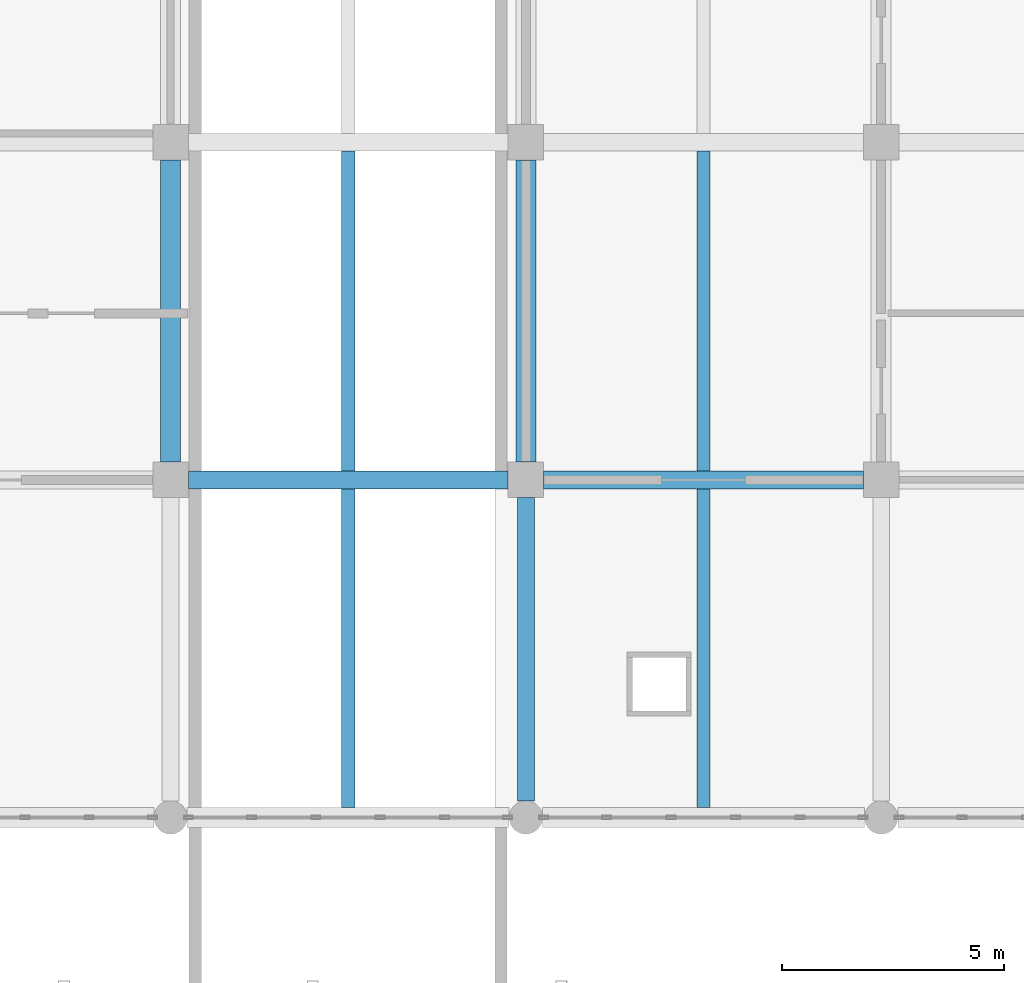
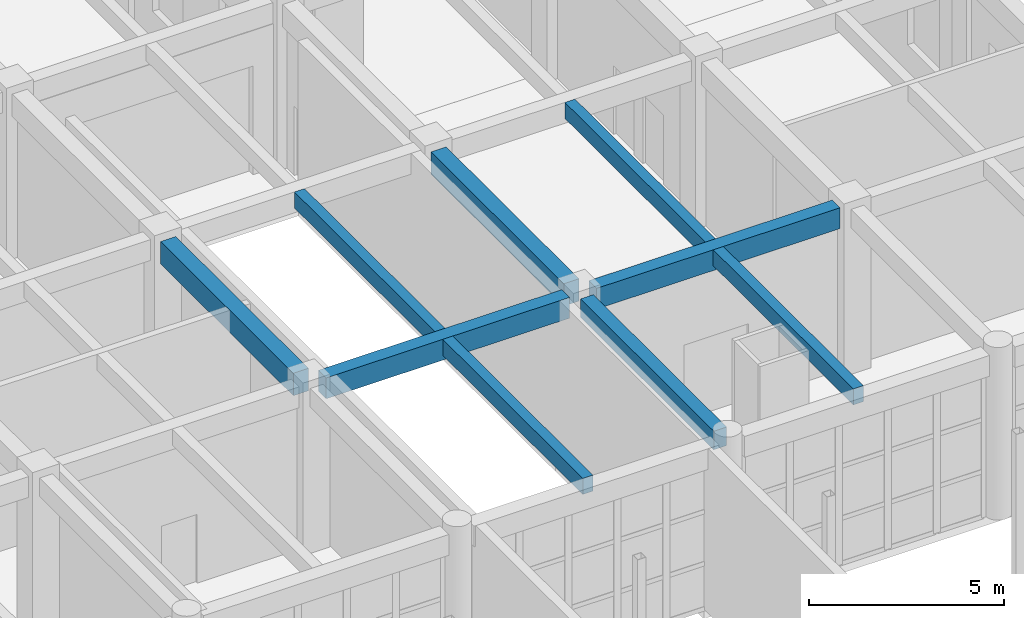
# One storey, part 55 of 95: 9 beams.
"""IFC4 building model written with IfcOpenShell, lengths in metres."""

from ifc_helpers import new_model, si_unit, direction, frame, origin, origin_2d, place, context, subcontext, project, spatial, rectangle, extrude, material, material_profile, profile_set, type_object, element, save


model = new_model("IFC4")

# Units and contexts
model_context = context("Model", 3, precision=1e-05, world=origin(), true_north=direction((0.0, 1.0)))
body_context = subcontext(model_context, "Body", "Model", "MODEL_VIEW")
ifc_project = project(units=[si_unit("LENGTHUNIT", "METRE"), si_unit("AREAUNIT", "SQUARE_METRE"), si_unit("VOLUMEUNIT", "CUBIC_METRE"), si_unit("PLANEANGLEUNIT", "RADIAN"), si_unit("MASSUNIT", "GRAM", prefix="KILO")], contexts=[model_context])

# Site, building, storey
site_placement = place(None, origin())
site = spatial("IfcSite", under=ifc_project, at=site_placement, CompositionType="ELEMENT")
building_placement = place(site_placement, origin())
building = spatial("IfcBuilding", under=site, at=building_placement, Name="Zantavel Square City Hall", CompositionType="ELEMENT")
storey_placement = place(building_placement, origin())
storey = spatial("IfcBuildingStorey", under=building, at=storey_placement, Name="L01", CompositionType="ELEMENT", Elevation=0.0)

# Beams
ifc_material = material(Name="Concrete C35/45", Category="concrete")
ifc_material_profile_1 = material_profile(ifc_material, rectangle(XDim=0.3798828125, YDim=0.580078125, at=origin_2d()), Name="RC 380x580")
ifc_profile_set_1 = profile_set([ifc_material_profile_1], Name="Concrete C35/45")
beam_type_1 = type_object("IfcBeamType", Name="Annex Secondary Beam RC 380x580 C35/45", PredefinedType="BEAM", material=ifc_profile_set_1)
beam_1_placement = place(storey_placement, frame((136.0, 68.77490234375, 4.8701171875), z_axis=(0.0, 1.0, 0.0), x_axis=(-1.0, 0.0, 0.0)))
element("IfcBeam", 1, at=beam_1_placement, inside=storey, type_object=beam_type_1, Name="L01 Beam BMY-L01-1360-0684", PredefinedType="BEAM", context=body_context, shape_type="SweptSolid", body=[
    extrude(rectangle(XDim=0.3798828125, YDim=0.580078125, at=origin_2d()), origin(), (0.0, 0.0, 1.0), 6.8251953125),
])
ifc_material_profile_2 = material_profile(ifc_material, rectangle(XDim=0.300048828125, YDim=0.5, at=origin_2d()), Name="RC 300x500")
ifc_profile_set_2 = profile_set([ifc_material_profile_2], Name="Concrete C35/45")
beam_type_2 = type_object("IfcBeamType", Name="Floor Joist RC 300x500 C35/45", PredefinedType="JOIST", material=ifc_profile_set_2)
beam_2_placement = place(storey_placement, frame((132.0, 68.625, 4.909912109375), z_axis=(0.0, 1.0, 0.0), x_axis=(-1.0, 0.0, 0.0)))
element("IfcBeam", 2, at=beam_2_placement, inside=storey, type_object=beam_type_2, Name="L01 Floor Joist JST-L01-1320-0684", PredefinedType="JOIST", context=body_context, shape_type="SweptSolid", body=[
    extrude(rectangle(XDim=0.300048828125, YDim=0.5, at=origin_2d()), origin(), (0.0, 0.0, 1.0), 7.175048828125),
])
beam_3_placement = place(storey_placement, frame((132.0, 76.199951171875, 4.909912109375), z_axis=(0.0, 1.0, 0.0), x_axis=(-1.0, 0.0, 0.0)))
element("IfcBeam", 3, at=beam_3_placement, inside=storey, type_object=beam_type_2, Name="L01 Floor Joist JST-L01-1320-0760", PredefinedType="JOIST", context=body_context, shape_type="SweptSolid", body=[
    extrude(rectangle(XDim=0.300048828125, YDim=0.5, at=origin_2d()), origin(), (0.0, 0.0, 1.0), 7.199951171875),
])
beam_4_placement = place(storey_placement, frame((140.0, 68.625, 4.909912109375), z_axis=(0.0, 1.0, 0.0), x_axis=(-1.0, 0.0, 0.0)))
element("IfcBeam", 4, at=beam_4_placement, inside=storey, type_object=beam_type_2, Name="L01 Floor Joist JST-L01-1400-0684", PredefinedType="JOIST", context=body_context, shape_type="SweptSolid", body=[
    extrude(rectangle(XDim=0.300048828125, YDim=0.5, at=origin_2d()), origin(), (0.0, 0.0, 1.0), 7.175048828125),
])
beam_5_placement = place(storey_placement, frame((140.0, 76.199951171875, 4.909912109375), z_axis=(0.0, 1.0, 0.0), x_axis=(-1.0, 0.0, 0.0)))
element("IfcBeam", 5, at=beam_5_placement, inside=storey, type_object=beam_type_2, Name="L01 Floor Joist JST-L01-1400-0760", PredefinedType="JOIST", context=body_context, shape_type="SweptSolid", body=[
    extrude(rectangle(XDim=0.300048828125, YDim=0.5, at=origin_2d()), origin(), (0.0, 0.0, 1.0), 7.199951171875),
])
ifc_material_profile_3 = material_profile(ifc_material, rectangle(XDim=0.39990234375, YDim=0.64990234375, at=origin_2d()), Name="RC 400x650")
ifc_profile_set_3 = profile_set([ifc_material_profile_3], Name="Concrete C35/45")
beam_type_3 = type_object("IfcBeamType", Name="Frame Beam RC 400x650 C35/45", PredefinedType="BEAM", material=ifc_profile_set_3)
for number, where, z_axis, x_axis, name in (
    (6, (128.39990234375, 76.0, 4.8349609375), (1.0, 0.0, 0.0), (0.0, 1.0, 0.0), "L01 Girder BMX-L01-1280-0760"),
    (7, (136.39990234375, 76.0, 4.8349609375), (1.0, 0.0, 0.0), (0.0, 1.0, 0.0), "L01 Girder BMX-L01-1360-0760"),
):
    element("IfcBeam", number, at=place(storey_placement, frame(where, z_axis=z_axis, x_axis=x_axis)), inside=storey, type_object=beam_type_3, Name=name, PredefinedType="BEAM", context=body_context, shape_type="SweptSolid", body=[
        extrude(rectangle(XDim=0.39990234375, YDim=0.64990234375, at=origin_2d()), origin(), (0.0, 0.0, 1.0), 7.2001953125),
    ])
ifc_material_profile_4 = material_profile(ifc_material, rectangle(XDim=0.449951171875, YDim=0.699951171875, at=origin_2d()), Name="RC 450x700")
ifc_profile_set_4 = profile_set([ifc_material_profile_4], Name="Concrete C35/45")
beam_type_4 = type_object("IfcBeamType", Name="Primary Girder RC 450x700 C35/45", PredefinedType="BEAM", material=ifc_profile_set_4)
for number, where, z_axis, x_axis, name in (
    (8, (128.0, 76.39990234375, 4.81005859375), (0.0, 1.0, 0.0), (-1.0, 0.0, 0.0), "L01 Beam BMY-L01-1280-0760"),
    (9, (136.0, 76.39990234375, 4.81005859375), (0.0, 1.0, 0.0), (-1.0, 0.0, 0.0), "L01 Beam BMY-L01-1360-0760"),
):
    element("IfcBeam", number, at=place(storey_placement, frame(where, z_axis=z_axis, x_axis=x_axis)), inside=storey, type_object=beam_type_4, Name=name, PredefinedType="BEAM", context=body_context, shape_type="SweptSolid", body=[
        extrude(rectangle(XDim=0.449951171875, YDim=0.699951171875, at=origin_2d()), origin(), (0.0, 0.0, 1.0), 6.800048828125),
    ])

save(model, "model.ifc")
